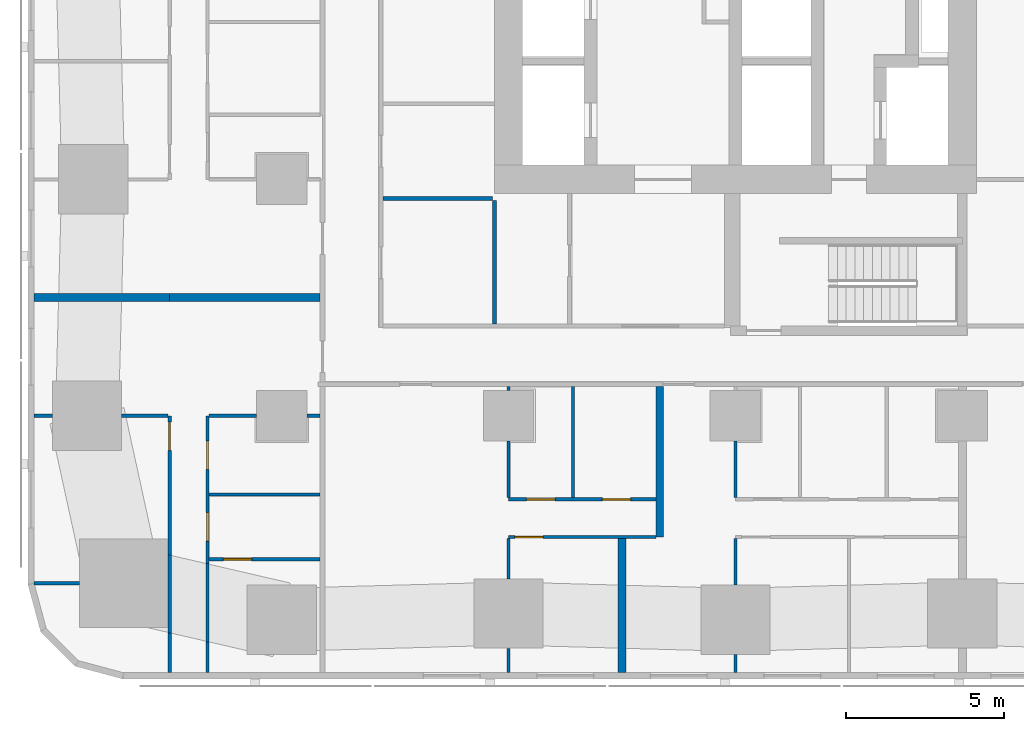
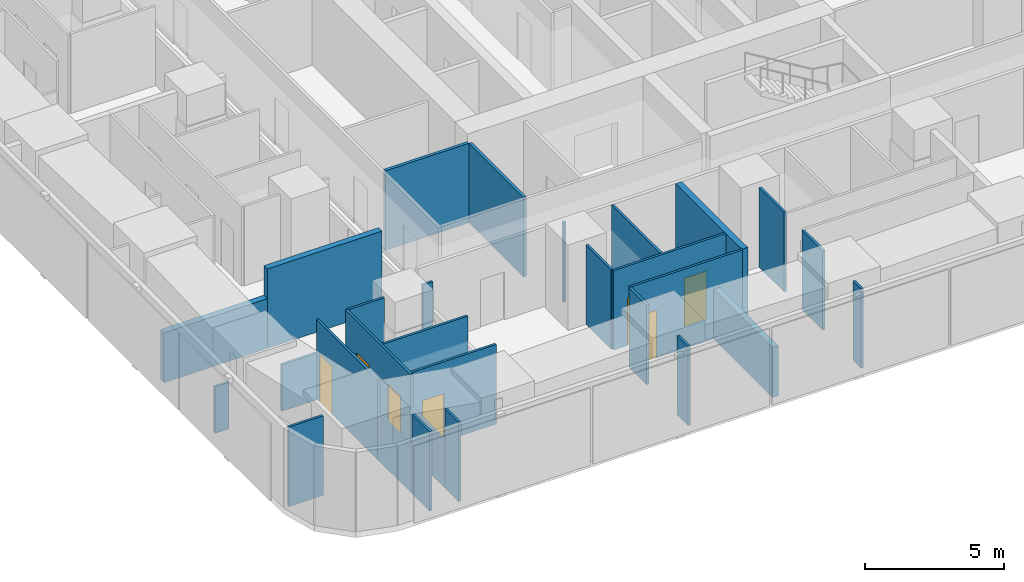
# One storey, part 2 of 17: 29 walls, 7 doors, 7 openings.
"""IFC4 building model written with IfcOpenShell, lengths in metres."""

from ifc_helpers import new_model, si_unit, direction, frame, frame_2d, origin, place, context, subcontext, project, spatial, rectangle, extrude, material, layer, layer_set, type_object, element, fill, save


model = new_model("IFC4")

# Units and contexts
model_context = context("Model", 3, precision=1e-05, world=origin(), true_north=direction((0.0, 1.0)))
body_context = subcontext(model_context, "Body", "Model", "MODEL_VIEW")
ifc_project = project(units=[si_unit("LENGTHUNIT", "METRE"), si_unit("AREAUNIT", "SQUARE_METRE"), si_unit("VOLUMEUNIT", "CUBIC_METRE"), si_unit("PLANEANGLEUNIT", "RADIAN"), si_unit("MASSUNIT", "GRAM", prefix="KILO")], contexts=[model_context])

# Site, building, storey
site_placement = place(None, origin())
site = spatial("IfcSite", under=ifc_project, at=site_placement, CompositionType="ELEMENT")
building_placement = place(site_placement, origin())
building = spatial("IfcBuilding", under=site, at=building_placement, Name="Sheger Commons Tower", CompositionType="ELEMENT")
storey_placement = place(building_placement, frame((0.0, 0.0, 111.64990234375)))
storey = spatial("IfcBuildingStorey", under=building, at=storey_placement, Name="L28", CompositionType="ELEMENT", Elevation=111.64990234375)

# Walls
ifc_material_1 = material(Name="Dense concrete block masonry, plastered both sides (separating wall between flats)", Category="masonry")
ifc_layer_1 = layer(ifc_material_1, 0.25)
ifc_layer_set_1 = layer_set([ifc_layer_1], Name="DEMISING WALL 250")
wall_type_1 = type_object("IfcWallType", Name="DEMISING WALL 250", PredefinedType="SOLIDWALL", material=ifc_layer_set_1)
wall_1_placement = place(storey_placement, frame((-0.64990234375, 11.25, 0.0), z_axis=(0.0, 0.0, 1.0), x_axis=(1.0, 0.0, 0.0)))
element("IfcWall", 1, at=wall_1_placement, inside=storey, type_object=wall_type_1, Name="Demising wall L28", PredefinedType="SOLIDWALL", context=body_context, shape_type="SweptSolid", body=[
    extrude(rectangle(XDim=4.2998046875, YDim=0.25, at=frame_2d((2.14990234375, 0.0))), origin(), (0.0, 0.0, 1.0), 2.2001953125),
])
wall_2_placement = place(storey_placement, frame((3.64990234375, 11.25, 0.0), z_axis=(0.0, 0.0, 1.0), x_axis=(1.0, 0.0, 0.0)))
element("IfcWall", 2, at=wall_2_placement, inside=storey, type_object=wall_type_1, Name="Demising wall L28", PredefinedType="SOLIDWALL", context=body_context, shape_type="SweptSolid", body=[
    extrude(rectangle(XDim=4.775146484375, YDim=0.25, at=frame_2d((2.3876953125, 0.0))), origin(), (0.0, 0.0, 1.0), 3.5),
])
wall_3_placement = place(storey_placement, frame((18.0, -0.64990234375, 0.0), z_axis=(0.0, 0.0, 1.0), x_axis=(0.0, 1.0, 0.0)))
element("IfcWall", 3, at=wall_3_placement, inside=storey, type_object=wall_type_1, Name="Demising wall L28", PredefinedType="SOLIDWALL", context=body_context, shape_type="SweptSolid", body=[
    extrude(rectangle(XDim=4.25, YDim=0.25, at=frame_2d((2.125, 0.0))), origin(), (0.0, 0.0, 1.0), 2.2001953125),
])
wall_4_placement = place(storey_placement, frame((19.198974609375, 3.64990234375, 0.0), z_axis=(0.0, 0.0, 1.0), x_axis=(0.0, 1.0, 0.0)))
element("IfcWall", 4, at=wall_4_placement, inside=storey, type_object=wall_type_1, Name="Demising wall L28", PredefinedType="SOLIDWALL", context=body_context, shape_type="SweptSolid", body=[
    extrude(rectangle(XDim=4.775146484375, YDim=0.25, at=frame_2d((2.3876953125, 0.0))), origin(), (0.0, 0.0, 1.0), 3.5),
])
ifc_material_2 = material(Name="Gypsum board on steel studs", Category="steel")
ifc_layer_2 = layer(ifc_material_2, 0.10009765625)
ifc_layer_set_2 = layer_set([ifc_layer_2], Name="PARTITION 100")
wall_type_2 = type_object("IfcWallType", Name="PARTITION 100", PredefinedType="PARTITIONING", material=ifc_layer_set_2)
wall_5_placement = place(storey_placement, frame((3.64990234375, -0.64990234375, 0.0), z_axis=(0.0, 0.0, 1.0), x_axis=(0.0, 1.0, 0.0)))
element("IfcWall", 5, at=wall_5_placement, inside=storey, type_object=wall_type_2, Name="Partition L28", PredefinedType="PARTITIONING", context=body_context, shape_type="SweptSolid", body=[
    extrude(rectangle(XDim=1.25390625, YDim=0.10009765625, at=frame_2d((0.626953125, 0.0))), origin(), (0.0, 0.0, 1.0), 3.5),
])
wall_6_placement = place(storey_placement, frame((3.64990234375, 0.60400390625, 0.0), z_axis=(0.0, 0.0, 1.0), x_axis=(0.0, 1.0, 0.0)))
element("IfcWall", 6, at=wall_6_placement, inside=storey, type_object=wall_type_2, Name="Partition L28", PredefinedType="PARTITIONING", context=body_context, shape_type="SweptSolid", body=[
    extrude(rectangle(XDim=2.486083984375, YDim=0.10009765625, at=frame_2d((1.2431640625, 0.0))), origin(), (0.0, 0.0, 1.0), 2.050048828125),
])

# Wall, opening, door
wall_7_placement = place(storey_placement, frame((3.64990234375, 3.090087890625, 0.0), z_axis=(0.0, 0.0, 1.0), x_axis=(0.0, 1.0, 0.0)))
wall_7 = element("IfcWall", 7, at=wall_7_placement, inside=storey, type_object=wall_type_2, Name="Partition L28", PredefinedType="PARTITIONING", context=body_context, shape_type="SweptSolid", body=[
    extrude(rectangle(XDim=4.409912109375, YDim=0.10009765625, at=frame_2d((2.205078125, 0.0))), origin(), (0.0, 0.0, 1.0), 3.5),
])
opening_1_placement = place(wall_7_placement, frame((3.31005859375, 0.0, 0.0)))
opening_1 = element("IfcOpeningElement", 8, at=opening_1_placement, cuts=wall_7, Name="Opening D2", PredefinedType="OPENING", context=body_context, shape_type="SweptSolid", body=[
    extrude(rectangle(XDim=0.89990234375, YDim=2.10009765625, at=frame_2d((0.449951171875, 1.050048828125))), frame((0.0, 0.06005859375, 0.0), z_axis=(0.0, -1.0, 0.0), x_axis=(1.0, 0.0, 0.0)), (0.0, 0.0, 1.0), 0.1201171875),
])
ifc_material_3 = material(Name="Timber door set", Category="wood")
door_type = type_object("IfcDoorType", Name="INTERNAL DOOR 900x2100", OperationType="NOTDEFINED", PredefinedType="DOOR", material=ifc_material_3)
door_1_placement = place(opening_1_placement, origin())
door_1 = element("IfcDoor", 9, at=door_1_placement, inside=storey, type_object=door_type, Name="Main bedroom door", OperationType="SINGLE_SWING_RIGHT", OverallHeight=2.10009765625, OverallWidth=0.89990234375, PredefinedType="DOOR", context=body_context, shape_type="SweptSolid", body=[
    extrude(rectangle(XDim=0.89990234375, YDim=2.10009765625, at=frame_2d((0.449951171875, 1.050048828125))), frame((0.0, 0.02490234375, 0.0), z_axis=(0.0, -1.0, 0.0), x_axis=(1.0, 0.0, 0.0)), (0.0, 0.0, 1.0), 0.050048828125),
])
fill(opening_1, door_1)

# Walls
wall_8_placement = place(storey_placement, frame((4.85009765625, -0.64990234375, 0.0), z_axis=(0.0, 0.0, 1.0), x_axis=(0.0, 1.0, 0.0)))
element("IfcWall", 10, at=wall_8_placement, inside=storey, type_object=wall_type_2, Name="Partition L28", PredefinedType="PARTITIONING", context=body_context, shape_type="SweptSolid", body=[
    extrude(rectangle(XDim=0.975830078125, YDim=0.10009765625, at=frame_2d((0.48779296875, 0.0))), origin(), (0.0, 0.0, 1.0), 3.5),
])
wall_9_placement = place(storey_placement, frame((4.85009765625, 0.325927734375, 0.0), z_axis=(0.0, 0.0, 1.0), x_axis=(0.0, 1.0, 0.0)))
element("IfcWall", 11, at=wall_9_placement, inside=storey, type_object=wall_type_2, Name="Partition L28", PredefinedType="PARTITIONING", context=body_context, shape_type="SweptSolid", body=[
    extrude(rectangle(XDim=2.486083984375, YDim=0.10009765625, at=frame_2d((1.2431640625, 0.0))), origin(), (0.0, 0.0, 1.0), 2.050048828125),
])

# Wall, openings, doors
wall_10_placement = place(storey_placement, frame((4.85009765625, 2.81201171875, 0.0), z_axis=(0.0, 0.0, 1.0), x_axis=(0.0, 1.0, 0.0)))
wall_10 = element("IfcWall", 12, at=wall_10_placement, inside=storey, type_object=wall_type_2, Name="Partition L28", PredefinedType="PARTITIONING", context=body_context, shape_type="SweptSolid", body=[
    extrude(rectangle(XDim=4.68798828125, YDim=0.10009765625, at=frame_2d((2.343994140625, 0.0))), origin(), (0.0, 0.0, 1.0), 3.5),
])
opening_2_placement = place(wall_10_placement, frame((2.987060546875, 0.0, 0.0)))
opening_2 = element("IfcOpeningElement", 13, at=opening_2_placement, cuts=wall_10, Name="Opening D2", PredefinedType="OPENING", context=body_context, shape_type="SweptSolid", body=[
    extrude(rectangle(XDim=0.89990234375, YDim=2.10009765625, at=frame_2d((0.449951171875, 1.050048828125))), frame((0.0, 0.06005859375, 0.0), z_axis=(0.0, -1.0, 0.0), x_axis=(1.0, 0.0, 0.0)), (0.0, 0.0, 1.0), 0.1201171875),
])
opening_3_placement = place(wall_10_placement, frame((0.7119140625, 0.0, 0.0)))
opening_3 = element("IfcOpeningElement", 14, at=opening_3_placement, cuts=wall_10, Name="Opening D2", PredefinedType="OPENING", context=body_context, shape_type="SweptSolid", body=[
    extrude(rectangle(XDim=0.89990234375, YDim=2.10009765625, at=frame_2d((0.449951171875, 1.050048828125))), frame((0.0, 0.06005859375, 0.0), z_axis=(0.0, -1.0, 0.0), x_axis=(1.0, 0.0, 0.0)), (0.0, 0.0, 1.0), 0.1201171875),
])
door_2_placement = place(opening_2_placement, origin())
door_2 = element("IfcDoor", 15, at=door_2_placement, inside=storey, type_object=door_type, Name="Store and laundry door", OperationType="SINGLE_SWING_LEFT", OverallHeight=2.10009765625, OverallWidth=0.89990234375, PredefinedType="DOOR", context=body_context, shape_type="SweptSolid", body=[
    extrude(rectangle(XDim=0.89990234375, YDim=2.10009765625, at=frame_2d((0.449951171875, 1.050048828125))), frame((0.0, 0.02490234375, 0.0), z_axis=(0.0, -1.0, 0.0), x_axis=(1.0, 0.0, 0.0)), (0.0, 0.0, 1.0), 0.050048828125),
])
fill(opening_2, door_2)
door_3_placement = place(opening_3_placement, origin())
door_3 = element("IfcDoor", 16, at=door_3_placement, inside=storey, type_object=door_type, Name="Bathroom door", OperationType="SINGLE_SWING_RIGHT", OverallHeight=2.10009765625, OverallWidth=0.89990234375, PredefinedType="DOOR", context=body_context, shape_type="SweptSolid", body=[
    extrude(rectangle(XDim=0.89990234375, YDim=2.10009765625, at=frame_2d((0.449951171875, 1.050048828125))), frame((0.0, 0.02490234375, 0.0), z_axis=(0.0, -1.0, 0.0), x_axis=(1.0, 0.0, 0.0)), (0.0, 0.0, 1.0), 0.050048828125),
])
fill(opening_3, door_3)

# Walls
wall_11_placement = place(storey_placement, frame((-0.64990234375, 2.18603515625, 0.0), z_axis=(0.0, 0.0, 1.0), x_axis=(1.0, 0.0, 0.0)))
element("IfcWall", 17, at=wall_11_placement, inside=storey, type_object=wall_type_2, Name="Partition L28", PredefinedType="PARTITIONING", context=body_context, shape_type="SweptSolid", body=[
    extrude(rectangle(XDim=1.434814453125, YDim=0.10009765625, at=frame_2d((0.71728515625, 0.0))), origin(), (0.0, 0.0, 1.0), 3.5),
])
wall_12_placement = place(storey_placement, frame((-0.64990234375, 7.5, 0.0), z_axis=(0.0, 0.0, 1.0), x_axis=(1.0, 0.0, 0.0)))
element("IfcWall", 18, at=wall_12_placement, inside=storey, type_object=wall_type_2, Name="Partition L28", PredefinedType="PARTITIONING", context=body_context, shape_type="SweptSolid", body=[
    extrude(rectangle(XDim=0.573974609375, YDim=0.10009765625, at=frame_2d((0.287109375, 0.0))), origin(), (0.0, 0.0, 1.0), 2.050048828125),
])
wall_13_placement = place(storey_placement, frame((2.1259765625, 7.5, 0.0), z_axis=(0.0, 0.0, 1.0), x_axis=(1.0, 0.0, 0.0)))
element("IfcWall", 19, at=wall_13_placement, inside=storey, type_object=wall_type_2, Name="Partition L28", PredefinedType="PARTITIONING", context=body_context, shape_type="SweptSolid", body=[
    extrude(rectangle(XDim=1.47412109375, YDim=0.10009765625, at=frame_2d((0.737060546875, 0.0))), origin(), (0.0, 0.0, 1.0), 2.050048828125),
])
wall_14_placement = place(storey_placement, frame((4.89990234375, 4.9990234375, 0.0), z_axis=(0.0, 0.0, 1.0), x_axis=(1.0, 0.0, 0.0)))
element("IfcWall", 20, at=wall_14_placement, inside=storey, type_object=wall_type_2, Name="Partition L28", PredefinedType="PARTITIONING", context=body_context, shape_type="SweptSolid", body=[
    extrude(rectangle(XDim=3.525146484375, YDim=0.10009765625, at=frame_2d((1.7626953125, 0.0))), origin(), (0.0, 0.0, 1.0), 3.5),
])
wall_15_placement = place(storey_placement, frame((4.89990234375, 7.5, 0.0), z_axis=(0.0, 0.0, 1.0), x_axis=(1.0, 0.0, 0.0)))
element("IfcWall", 21, at=wall_15_placement, inside=storey, type_object=wall_type_2, Name="Partition L28", PredefinedType="PARTITIONING", context=body_context, shape_type="SweptSolid", body=[
    extrude(rectangle(XDim=1.4990234375, YDim=0.10009765625, at=frame_2d((0.74951171875, 0.0))), origin(), (0.0, 0.0, 1.0), 3.5),
])
wall_16_placement = place(storey_placement, frame((8.0009765625, 7.5, 0.0), z_axis=(0.0, 0.0, 1.0), x_axis=(1.0, 0.0, 0.0)))
element("IfcWall", 22, at=wall_16_placement, inside=storey, type_object=wall_type_2, Name="Partition L28", PredefinedType="PARTITIONING", context=body_context, shape_type="SweptSolid", body=[
    extrude(rectangle(XDim=0.424072265625, YDim=0.10009765625, at=frame_2d((0.2119140625, 0.0))), origin(), (0.0, 0.0, 1.0), 3.5),
])

# Wall, opening, door
wall_17_placement = place(storey_placement, frame((4.89990234375, 2.948974609375, 0.0), z_axis=(0.0, 0.0, 1.0), x_axis=(1.0, 0.0, 0.0)))
wall_17 = element("IfcWall", 23, at=wall_17_placement, inside=storey, type_object=wall_type_2, Name="Partition L28", PredefinedType="PARTITIONING", context=body_context, shape_type="SweptSolid", body=[
    extrude(rectangle(XDim=3.525146484375, YDim=0.10009765625, at=frame_2d((1.7626953125, 0.0))), origin(), (0.0, 0.0, 1.0), 3.5),
])
opening_4_placement = place(wall_17_placement, frame((0.449951171875, 0.0, 0.0)))
opening_4 = element("IfcOpeningElement", 24, at=opening_4_placement, cuts=wall_17, Name="Opening D2", PredefinedType="OPENING", context=body_context, shape_type="SweptSolid", body=[
    extrude(rectangle(XDim=0.89990234375, YDim=2.10009765625, at=frame_2d((0.449951171875, 1.050048828125))), frame((0.0, 0.06005859375, 0.0), z_axis=(0.0, -1.0, 0.0), x_axis=(1.0, 0.0, 0.0)), (0.0, 0.0, 1.0), 0.1201171875),
])
door_4_placement = place(opening_4_placement, origin())
door_4 = element("IfcDoor", 25, at=door_4_placement, inside=storey, type_object=door_type, Name="Linen store door", OperationType="SINGLE_SWING_LEFT", OverallHeight=2.10009765625, OverallWidth=0.89990234375, PredefinedType="DOOR", context=body_context, shape_type="SweptSolid", body=[
    extrude(rectangle(XDim=0.89990234375, YDim=2.10009765625, at=frame_2d((0.449951171875, 1.050048828125))), frame((0.0, 0.02490234375, 0.0), z_axis=(0.0, -1.0, 0.0), x_axis=(1.0, 0.0, 0.0)), (0.0, 0.0, 1.0), 0.050048828125),
])
fill(opening_4, door_4)

wall_18_placement = place(storey_placement, frame((19.073974609375, 3.64990234375, 0.0), z_axis=(0.0, 0.0, 1.0), x_axis=(-1.0, 0.0, 0.0)))
wall_18 = element("IfcWall", 26, at=wall_18_placement, inside=storey, type_object=wall_type_2, Name="Partition L28", PredefinedType="PARTITIONING", context=body_context, shape_type="SweptSolid", body=[
    extrude(rectangle(XDim=4.674072265625, YDim=0.10009765625, at=frame_2d((2.3369140625, 0.0))), origin(), (0.0, 0.0, 1.0), 3.5),
])
opening_5_placement = place(wall_18_placement, frame((3.573974609375, 0.0, 0.0)))
opening_5 = element("IfcOpeningElement", 27, at=opening_5_placement, cuts=wall_18, Name="Opening D2", PredefinedType="OPENING", context=body_context, shape_type="SweptSolid", body=[
    extrude(rectangle(XDim=0.89990234375, YDim=2.10009765625, at=frame_2d((0.449951171875, 1.050048828125))), frame((0.0, 0.06005859375, 0.0), z_axis=(0.0, -1.0, 0.0), x_axis=(1.0, 0.0, 0.0)), (0.0, 0.0, 1.0), 0.1201171875),
])
door_5_placement = place(opening_5_placement, origin())
door_5 = element("IfcDoor", 28, at=door_5_placement, inside=storey, type_object=door_type, Name="Main bedroom door", OperationType="SINGLE_SWING_RIGHT", OverallHeight=2.10009765625, OverallWidth=0.89990234375, PredefinedType="DOOR", context=body_context, shape_type="SweptSolid", body=[
    extrude(rectangle(XDim=0.89990234375, YDim=2.10009765625, at=frame_2d((0.449951171875, 1.050048828125))), frame((0.0, 0.02490234375, 0.0), z_axis=(0.0, -1.0, 0.0), x_axis=(1.0, 0.0, 0.0)), (0.0, 0.0, 1.0), 0.050048828125),
])
fill(opening_5, door_5)

# Wall, openings, doors
wall_19_placement = place(storey_placement, frame((19.073974609375, 4.85009765625, 0.0), z_axis=(0.0, 0.0, 1.0), x_axis=(-1.0, 0.0, 0.0)))
wall_19 = element("IfcWall", 29, at=wall_19_placement, inside=storey, type_object=wall_type_2, Name="Partition L28", PredefinedType="PARTITIONING", context=body_context, shape_type="SweptSolid", body=[
    extrude(rectangle(XDim=4.674072265625, YDim=0.10009765625, at=frame_2d((2.3369140625, 0.0))), origin(), (0.0, 0.0, 1.0), 3.5),
])
opening_6_placement = place(wall_19_placement, frame((3.198974609375, 0.0, 0.0)))
opening_6 = element("IfcOpeningElement", 30, at=opening_6_placement, cuts=wall_19, Name="Opening D2", PredefinedType="OPENING", context=body_context, shape_type="SweptSolid", body=[
    extrude(rectangle(XDim=0.89990234375, YDim=2.10009765625, at=frame_2d((0.449951171875, 1.050048828125))), frame((0.0, 0.06005859375, 0.0), z_axis=(0.0, -1.0, 0.0), x_axis=(1.0, 0.0, 0.0)), (0.0, 0.0, 1.0), 0.1201171875),
])
opening_7_placement = place(wall_19_placement, frame((0.799072265625, 0.0, 0.0)))
opening_7 = element("IfcOpeningElement", 31, at=opening_7_placement, cuts=wall_19, Name="Opening D2", PredefinedType="OPENING", context=body_context, shape_type="SweptSolid", body=[
    extrude(rectangle(XDim=0.89990234375, YDim=2.10009765625, at=frame_2d((0.449951171875, 1.050048828125))), frame((0.0, 0.06005859375, 0.0), z_axis=(0.0, -1.0, 0.0), x_axis=(1.0, 0.0, 0.0)), (0.0, 0.0, 1.0), 0.1201171875),
])
door_6_placement = place(opening_6_placement, origin())
door_6 = element("IfcDoor", 32, at=door_6_placement, inside=storey, type_object=door_type, Name="Bathroom door", OperationType="SINGLE_SWING_LEFT", OverallHeight=2.10009765625, OverallWidth=0.89990234375, PredefinedType="DOOR", context=body_context, shape_type="SweptSolid", body=[
    extrude(rectangle(XDim=0.89990234375, YDim=2.10009765625, at=frame_2d((0.449951171875, 1.050048828125))), frame((0.0, 0.02490234375, 0.0), z_axis=(0.0, -1.0, 0.0), x_axis=(1.0, 0.0, 0.0)), (0.0, 0.0, 1.0), 0.050048828125),
])
fill(opening_6, door_6)
door_7_placement = place(opening_7_placement, origin())
door_7 = element("IfcDoor", 33, at=door_7_placement, inside=storey, type_object=door_type, Name="Store door", OperationType="SINGLE_SWING_RIGHT", OverallHeight=2.10009765625, OverallWidth=0.89990234375, PredefinedType="DOOR", context=body_context, shape_type="SweptSolid", body=[
    extrude(rectangle(XDim=0.89990234375, YDim=2.10009765625, at=frame_2d((0.449951171875, 1.050048828125))), frame((0.0, 0.02490234375, 0.0), z_axis=(0.0, -1.0, 0.0), x_axis=(1.0, 0.0, 0.0)), (0.0, 0.0, 1.0), 0.050048828125),
])
fill(opening_7, door_7)

# Walls
wall_20_placement = place(storey_placement, frame((14.39990234375, -0.64990234375, 0.0), z_axis=(0.0, 0.0, 1.0), x_axis=(0.0, 1.0, 0.0)))
element("IfcWall", 34, at=wall_20_placement, inside=storey, type_object=wall_type_2, Name="Partition L28", PredefinedType="PARTITIONING", context=body_context, shape_type="SweptSolid", body=[
    extrude(rectangle(XDim=0.77392578125, YDim=0.10009765625, at=frame_2d((0.386962890625, 0.0))), origin(), (0.0, 0.0, 1.0), 3.5),
])
wall_21_placement = place(storey_placement, frame((14.39990234375, 2.325927734375, 0.0), z_axis=(0.0, 0.0, 1.0), x_axis=(0.0, 1.0, 0.0)))
element("IfcWall", 35, at=wall_21_placement, inside=storey, type_object=wall_type_2, Name="Partition L28", PredefinedType="PARTITIONING", context=body_context, shape_type="SweptSolid", body=[
    extrude(rectangle(XDim=1.274169921875, YDim=0.10009765625, at=frame_2d((0.63720703125, 0.0))), origin(), (0.0, 0.0, 1.0), 3.5),
])
wall_22_placement = place(storey_placement, frame((14.39990234375, 4.89990234375, 0.0), z_axis=(0.0, 0.0, 1.0), x_axis=(0.0, 1.0, 0.0)))
element("IfcWall", 36, at=wall_22_placement, inside=storey, type_object=wall_type_2, Name="Partition L28", PredefinedType="PARTITIONING", context=body_context, shape_type="SweptSolid", body=[
    extrude(rectangle(XDim=1.799072265625, YDim=0.10009765625, at=frame_2d((0.8994140625, 0.0))), origin(), (0.0, 0.0, 1.0), 3.5),
])
wall_23_placement = place(storey_placement, frame((14.39990234375, 8.301025390625, 0.0), z_axis=(0.0, 0.0, 1.0), x_axis=(0.0, 1.0, 0.0)))
element("IfcWall", 37, at=wall_23_placement, inside=storey, type_object=wall_type_2, Name="Partition L28", PredefinedType="PARTITIONING", context=body_context, shape_type="SweptSolid", body=[
    extrude(rectangle(XDim=0.1240234375, YDim=0.10009765625, at=frame_2d((0.06201171875, 0.0))), origin(), (0.0, 0.0, 1.0), 3.5),
])
wall_24_placement = place(storey_placement, frame((16.449951171875, 4.89990234375, 0.0), z_axis=(0.0, 0.0, 1.0), x_axis=(0.0, 1.0, 0.0)))
element("IfcWall", 38, at=wall_24_placement, inside=storey, type_object=wall_type_2, Name="Partition L28", PredefinedType="PARTITIONING", context=body_context, shape_type="SweptSolid", body=[
    extrude(rectangle(XDim=3.525146484375, YDim=0.10009765625, at=frame_2d((1.7626953125, 0.0))), origin(), (0.0, 0.0, 1.0), 3.5),
])
wall_25_placement = place(storey_placement, frame((21.60009765625, -0.64990234375, 0.0), z_axis=(0.0, 0.0, 1.0), x_axis=(0.0, 1.0, 0.0)))
element("IfcWall", 39, at=wall_25_placement, inside=storey, type_object=wall_type_2, Name="Partition L28", PredefinedType="PARTITIONING", context=body_context, shape_type="SweptSolid", body=[
    extrude(rectangle(XDim=0.573974609375, YDim=0.10009765625, at=frame_2d((0.287109375, 0.0))), origin(), (0.0, 0.0, 1.0), 3.5),
])
wall_26_placement = place(storey_placement, frame((21.60009765625, 2.1259765625, 0.0), z_axis=(0.0, 0.0, 1.0), x_axis=(0.0, 1.0, 0.0)))
element("IfcWall", 40, at=wall_26_placement, inside=storey, type_object=wall_type_2, Name="Partition L28", PredefinedType="PARTITIONING", context=body_context, shape_type="SweptSolid", body=[
    extrude(rectangle(XDim=1.47412109375, YDim=0.10009765625, at=frame_2d((0.737060546875, 0.0))), origin(), (0.0, 0.0, 1.0), 3.5),
])
wall_27_placement = place(storey_placement, frame((21.60009765625, 4.89990234375, 0.0), z_axis=(0.0, 0.0, 1.0), x_axis=(0.0, 1.0, 0.0)))
element("IfcWall", 41, at=wall_27_placement, inside=storey, type_object=wall_type_2, Name="Partition L28", PredefinedType="PARTITIONING", context=body_context, shape_type="SweptSolid", body=[
    extrude(rectangle(XDim=1.799072265625, YDim=0.10009765625, at=frame_2d((0.8994140625, 0.0))), origin(), (0.0, 0.0, 1.0), 3.5),
])
ifc_material_4 = material(Name="Gypsum board on steel studs, two layers each side, fire rated", Category="steel")
ifc_layer_3 = layer(ifc_material_4, 0.125)
ifc_layer_set_3 = layer_set([ifc_layer_3], Name="SERVICE WALL 125")
wall_type_3 = type_object("IfcWallType", Name="SERVICE WALL 125", PredefinedType="PARTITIONING", material=ifc_layer_set_3)
wall_28_placement = place(storey_placement, frame((10.4130859375, 14.39990234375, 0.0), z_axis=(0.0, 0.0, 1.0), x_axis=(1.0, 0.0, 0.0)))
element("IfcWall", 42, at=wall_28_placement, inside=storey, type_object=wall_type_3, Name="Service room wall L28", PredefinedType="PARTITIONING", context=body_context, shape_type="SweptSolid", body=[
    extrude(rectangle(XDim=3.474853515625, YDim=0.125, at=frame_2d((1.7373046875, 0.0))), origin(), (0.0, 0.0, 1.0), 3.5),
])
wall_29_placement = place(storey_placement, frame((13.949951171875, 10.4130859375, 0.0), z_axis=(0.0, 0.0, 1.0), x_axis=(0.0, 1.0, 0.0)))
element("IfcWall", 43, at=wall_29_placement, inside=storey, type_object=wall_type_3, Name="Service room wall L28", PredefinedType="PARTITIONING", context=body_context, shape_type="SweptSolid", body=[
    extrude(rectangle(XDim=3.9248046875, YDim=0.125, at=frame_2d((1.96240234375, 0.0))), origin(), (0.0, 0.0, 1.0), 3.5),
])

save(model, "model.ifc")
